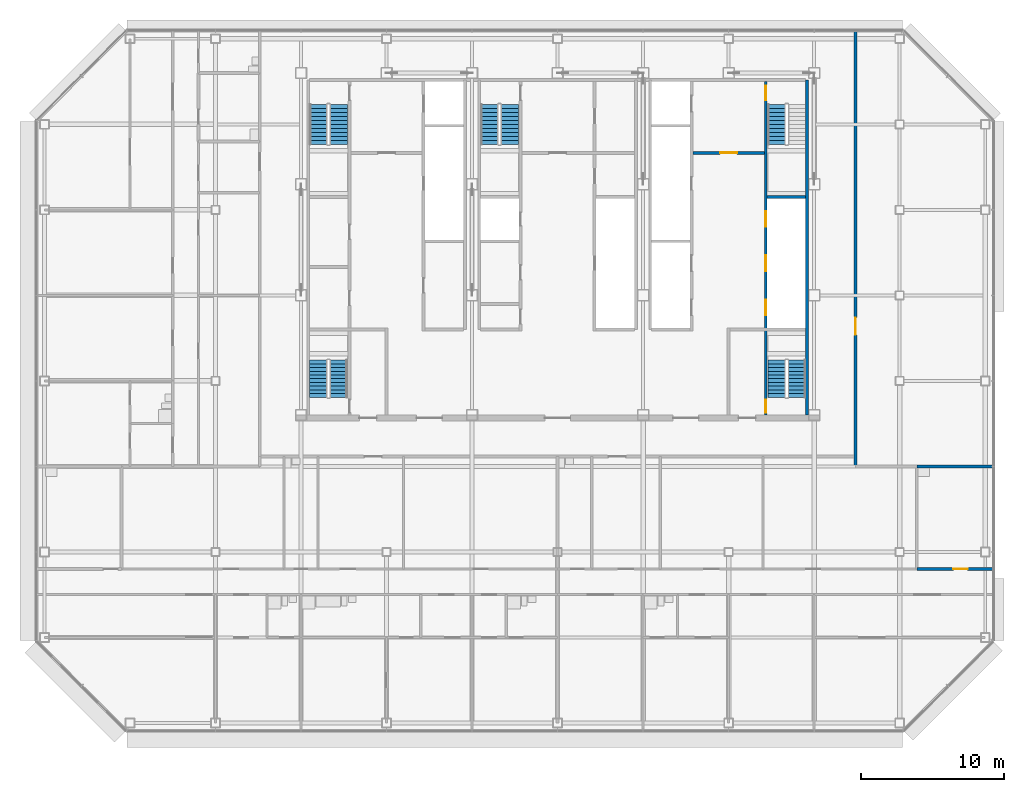
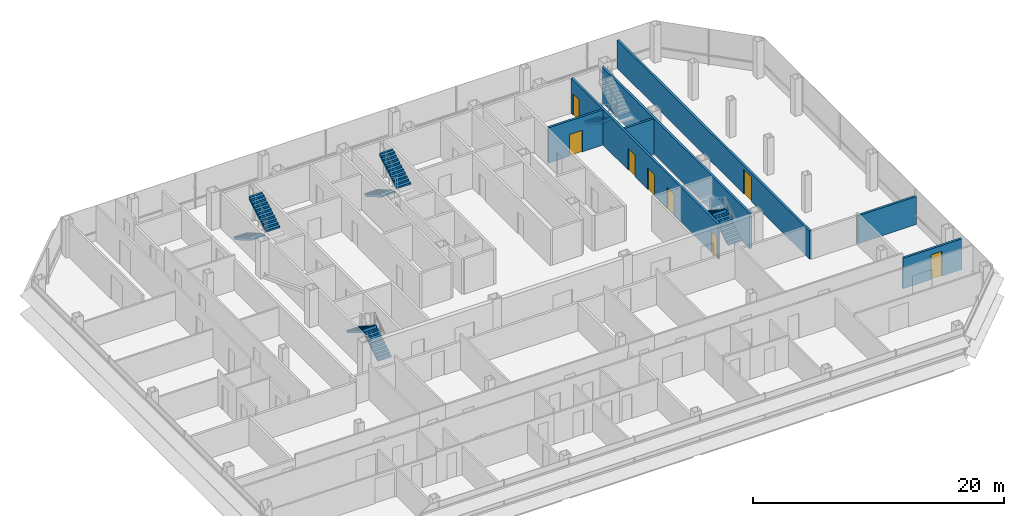
# One storey, part 24 of 27: 9 stair flights, 8 doors, 7 walls, 8 openings, 5 elements without a shape of their own.
"""IFC4 building model written with IfcOpenShell, lengths in metres."""

from ifc_helpers import new_model, si_unit, direction, frame, frame_2d, origin, place, context, subcontext, project, spatial, polyline, rectangle, outline, extrude, material, layer, layer_set, type_object, element, fill, aggregate, save


model = new_model("IFC4")

# Units and contexts
model_context = context("Model", 3, precision=1e-05, world=origin(), true_north=direction((0.0, 1.0)))
body_context = subcontext(model_context, "Body", "Model", "MODEL_VIEW")
ifc_project = project(units=[si_unit("LENGTHUNIT", "METRE"), si_unit("AREAUNIT", "SQUARE_METRE"), si_unit("VOLUMEUNIT", "CUBIC_METRE"), si_unit("PLANEANGLEUNIT", "RADIAN"), si_unit("MASSUNIT", "GRAM", prefix="KILO")], contexts=[model_context])

# Site, building, storey
site_placement = place(None, origin())
site = spatial("IfcSite", under=ifc_project, at=site_placement, CompositionType="ELEMENT")
building_placement = place(site_placement, origin())
building = spatial("IfcBuilding", under=site, at=building_placement, Name="Sorahane Residences", CompositionType="ELEMENT")
storey_placement = place(building_placement, frame((0.0, 0.0, 226.199951171875)))
storey = spatial("IfcBuildingStorey", under=building, at=storey_placement, Name="L53", CompositionType="ELEMENT", Elevation=226.199951171875)

# Wall
ifc_material_1 = material(Name="Concrete C30", Category="concrete")
ifc_layer_1 = layer(ifc_material_1, 0.199951171875)
ifc_layer_set_1 = layer_set([ifc_layer_1], Name="Core face wall 200 EI 180")
wall_type_1 = type_object("IfcWallType", Name="Core face wall 200 EI 180", PredefinedType="SOLIDWALL", material=ifc_layer_set_1)
wall_1_placement = place(storey_placement, frame((41.5, 21.60009765625, 0.0), z_axis=(0.0, 0.0, 1.0), x_axis=(0.0, 1.0, 0.0)))
element("IfcWall", 1, at=wall_1_placement, inside=storey, type_object=wall_type_1, Name="L53 core face wall", PredefinedType="SOLIDWALL", context=body_context, shape_type="SweptSolid", body=[
    extrude(rectangle(XDim=23.5, YDim=0.199951171875, at=frame_2d((11.75, 0.0))), origin(), (0.0, 0.0, 1.0), 3.420166015625),
])

# Wall, opening, door
ifc_material_2 = material(Name="Concrete blockwork C20 wall", Category="masonry")
ifc_layer_2 = layer(ifc_material_2, 0.199951171875)
ifc_layer_set_2 = layer_set([ifc_layer_2], Name="Corridor wall 200 EI 120")
wall_type_2 = type_object("IfcWallType", Name="Corridor wall 200 EI 120", PredefinedType="SOLIDWALL", material=ifc_layer_set_2)
wall_2_placement = place(storey_placement, frame((44.89990234375, 18.0, 0.0), z_axis=(0.0, 0.0, 1.0), x_axis=(0.0, 1.0, 0.0)))
wall_2 = element("IfcWall", 2, at=wall_2_placement, inside=storey, type_object=wall_type_2, Name="L53 corridor wall", PredefinedType="SOLIDWALL", context=body_context, shape_type="SweptSolid", body=[
    extrude(rectangle(XDim=30.60009765625, YDim=0.199951171875, at=frame_2d((15.300048828125, 0.0))), origin(), (0.0, 0.0, 1.0), 2.719970703125),
])
opening_1_placement = place(wall_2_placement, frame((9.22998046875, 0.0, 0.0)))
opening_1 = element("IfcOpeningElement", 3, at=opening_1_placement, cuts=wall_2, Name="Opening L53-45", PredefinedType="OPENING", context=body_context, shape_type="SweptSolid", body=[
    extrude(rectangle(XDim=1.199951171875, YDim=2.39990234375, at=frame_2d((0.60009765625, 1.199951171875))), frame((0.0, 0.10986328125, 0.0), z_axis=(0.0, -1.0, 0.0), x_axis=(1.0, 0.0, 0.0)), (0.0, 0.0, 1.0), 0.219970703125),
])
ifc_material_3 = material(Name="Steel", Category="steel")
door_type_1 = type_object("IfcDoorType", Name="Lobby door 1200x2400 FD60", OperationType="NOTDEFINED", PredefinedType="DOOR", material=ifc_material_3)
door_1_placement = place(opening_1_placement, frame((1.199951171875, 0.0, 0.0), z_axis=(0.0, 0.0, 1.0), x_axis=(-1.0, 0.0, 0.0)))
door_1 = element("IfcDoor", 4, at=door_1_placement, inside=storey, type_object=door_type_1, Name="Lobby door L53-45", OperationType="SINGLE_SWING_RIGHT", OverallHeight=2.39990234375, OverallWidth=1.199951171875, PredefinedType="DOOR", context=body_context, shape_type="SweptSolid", body=[
    extrude(rectangle(XDim=1.199951171875, YDim=2.39990234375, at=frame_2d((0.60009765625, 1.199951171875))), frame((0.0, 0.02490234375, 0.0), z_axis=(0.0, -1.0, 0.0), x_axis=(1.0, 0.0, 0.0)), (0.0, 0.0, 1.0), 0.050048828125),
])
fill(opening_1, door_1)

ifc_material_4 = material(Name="Concrete C30", Category="concrete")
ifc_layer_3 = layer(ifc_material_4, 0.199951171875)
ifc_layer_set_3 = layer_set([ifc_layer_3], Name="Front room wall 200 EI 120")
wall_type_3 = type_object("IfcWallType", Name="Front room wall 200 EI 120", PredefinedType="PARTITIONING", material=ifc_layer_set_3)
wall_3_placement = place(storey_placement, frame((33.5, 40.0, 0.0), z_axis=(0.0, 0.0, 1.0), x_axis=(1.0, 0.0, 0.0)))
wall_3 = element("IfcWall", 5, at=wall_3_placement, inside=storey, type_object=wall_type_3, Name="L53 front room wall", PredefinedType="PARTITIONING", context=body_context, shape_type="SweptSolid", body=[
    extrude(rectangle(XDim=5.0, YDim=0.199951171875, at=frame_2d((2.5, 0.0))), origin(), (0.0, 0.0, 1.0), 3.420166015625),
])
opening_2_placement = place(wall_3_placement, frame((1.89990234375, 0.0, 0.0)))
opening_2 = element("IfcOpeningElement", 6, at=opening_2_placement, cuts=wall_3, Name="Opening L53-C08", PredefinedType="OPENING", context=body_context, shape_type="SweptSolid", body=[
    extrude(rectangle(XDim=1.199951171875, YDim=2.10009765625, at=frame_2d((0.60009765625, 1.050048828125))), frame((0.0, 0.10986328125, 0.0), z_axis=(0.0, -1.0, 0.0), x_axis=(1.0, 0.0, 0.0)), (0.0, 0.0, 1.0), 0.219970703125),
])
ifc_material_5 = material(Name="Steel", Category="steel")
door_type_2 = type_object("IfcDoorType", Name="Front room door 1200x2100 FD120", OperationType="NOTDEFINED", PredefinedType="DOOR", material=ifc_material_5)
door_2_placement = place(opening_2_placement, frame((1.199951171875, 0.0, 0.0), z_axis=(0.0, 0.0, 1.0), x_axis=(-1.0, 0.0, 0.0)))
door_2 = element("IfcDoor", 7, at=door_2_placement, inside=storey, type_object=door_type_2, Name="Front room door Firefighting lobby FF2 front room L53", OperationType="DOUBLE_DOOR_SINGLE_SWING", OverallHeight=2.10009765625, OverallWidth=1.199951171875, PredefinedType="DOOR", context=body_context, shape_type="SweptSolid", body=[
    extrude(rectangle(XDim=1.199951171875, YDim=2.10009765625, at=frame_2d((0.60009765625, 1.050048828125))), frame((0.0, 0.02490234375, 0.0), z_axis=(0.0, -1.0, 0.0), x_axis=(1.0, 0.0, 0.0)), (0.0, 0.0, 1.0), 0.050048828125),
])
fill(opening_2, door_2)

ifc_material_6 = material(Name="Concrete blockwork C20 wall", Category="masonry")
ifc_layer_4 = layer(ifc_material_6, 0.199951171875)
ifc_layer_set_4 = layer_set([ifc_layer_4], Name="Kitchen wall 200 EI 180")
wall_type_4 = type_object("IfcWallType", Name="Kitchen wall 200 EI 180", PredefinedType="SOLIDWALL", material=ifc_layer_set_4)
wall_4_placement = place(storey_placement, frame((49.199951171875, 10.800048828125, 0.0), z_axis=(0.0, 0.0, 1.0), x_axis=(1.0, 0.0, 0.0)))
wall_4 = element("IfcWall", 8, at=wall_4_placement, inside=storey, type_object=wall_type_4, Name="L53 kitchen wall", PredefinedType="SOLIDWALL", context=body_context, shape_type="SweptSolid", body=[
    extrude(rectangle(XDim=5.400146484375, YDim=0.199951171875, at=frame_2d((2.7001953125, 0.0))), origin(), (0.0, 0.0, 1.0), 2.969970703125),
])
opening_3_placement = place(wall_4_placement, frame((2.56005859375, 0.0, 0.0)))
opening_3 = element("IfcOpeningElement", 9, at=opening_3_placement, cuts=wall_4, Name="Opening L53-22", PredefinedType="OPENING", context=body_context, shape_type="SweptSolid", body=[
    extrude(rectangle(XDim=1.0, YDim=2.39990234375, at=frame_2d((0.5, 1.199951171875))), frame((0.0, 0.10986328125, 0.0), z_axis=(0.0, -1.0, 0.0), x_axis=(1.0, 0.0, 0.0)), (0.0, 0.0, 1.0), 0.219970703125),
])
ifc_material_7 = material(Name="Steel", Category="steel")
door_type_3 = type_object("IfcDoorType", Name="Kitchen door 1000x2400 FD120", OperationType="NOTDEFINED", PredefinedType="DOOR", material=ifc_material_7)
door_3_placement = place(opening_3_placement, origin())
door_3 = element("IfcDoor", 10, at=door_3_placement, inside=storey, type_object=door_type_3, Name="Kitchen door L53-22", OperationType="SINGLE_SWING_RIGHT", OverallHeight=2.39990234375, OverallWidth=1.0, PredefinedType="DOOR", context=body_context, shape_type="SweptSolid", body=[
    extrude(rectangle(XDim=1.0, YDim=2.39990234375, at=frame_2d((0.5, 1.199951171875))), frame((0.0, 0.02490234375, 0.0), z_axis=(0.0, -1.0, 0.0), x_axis=(1.0, 0.0, 0.0)), (0.0, 0.0, 1.0), 0.050048828125),
])
fill(opening_3, door_3)

# Wall
wall_5_placement = place(storey_placement, frame((49.199951171875, 18.0, 0.0), z_axis=(0.0, 0.0, 1.0), x_axis=(1.0, 0.0, 0.0)))
element("IfcWall", 11, at=wall_5_placement, inside=storey, type_object=wall_type_4, Name="L53 kitchen wall", PredefinedType="SOLIDWALL", context=body_context, shape_type="SweptSolid", body=[
    extrude(rectangle(XDim=5.400146484375, YDim=0.199951171875, at=frame_2d((2.7001953125, 0.0))), origin(), (0.0, 0.0, 1.0), 2.719970703125),
])

# Wall, openings, doors
ifc_material_8 = material(Name="Concrete C30", Category="concrete")
ifc_layer_5 = layer(ifc_material_8, 0.199951171875)
ifc_layer_set_5 = layer_set([ifc_layer_5], Name="Stair enclosure wall 200 EI 120")
wall_type_5 = type_object("IfcWallType", Name="Stair enclosure wall 200 EI 120", PredefinedType="SOLIDWALL", material=ifc_layer_set_5)
wall_6_placement = place(storey_placement, frame((38.60009765625, 21.60009765625, 0.0), z_axis=(0.0, 0.0, 1.0), x_axis=(0.0, 1.0, 0.0)))
wall_6 = element("IfcWall", 12, at=wall_6_placement, inside=storey, type_object=wall_type_5, Name="L53 stair enclosure wall", PredefinedType="SOLIDWALL", context=body_context, shape_type="SweptSolid", body=[
    extrude(rectangle(XDim=23.39990234375, YDim=0.199951171875, at=frame_2d((11.699951171875, 0.0))), origin(), (0.0, 0.0, 1.0), 3.420166015625),
])
opening_4_placement = place(wall_6_placement, frame((7.0, 0.0, 0.0)))
opening_4 = element("IfcOpeningElement", 13, at=opening_4_placement, cuts=wall_6, Name="Opening L53-C09", PredefinedType="OPENING", context=body_context, shape_type="SweptSolid", body=[
    extrude(rectangle(XDim=1.10009765625, YDim=2.10009765625, at=frame_2d((0.550048828125, 1.050048828125))), frame((0.0, 0.10986328125, 0.0), z_axis=(0.0, -1.0, 0.0), x_axis=(1.0, 0.0, 0.0)), (0.0, 0.0, 1.0), 0.219970703125),
])
opening_5_placement = place(wall_6_placement, frame((10.10009765625, 0.0, 0.0)))
opening_5 = element("IfcOpeningElement", 14, at=opening_5_placement, cuts=wall_6, Name="Opening L53-C10", PredefinedType="OPENING", context=body_context, shape_type="SweptSolid", body=[
    extrude(rectangle(XDim=1.10009765625, YDim=2.10009765625, at=frame_2d((0.550048828125, 1.050048828125))), frame((0.0, 0.10986328125, 0.0), z_axis=(0.0, -1.0, 0.0), x_axis=(1.0, 0.0, 0.0)), (0.0, 0.0, 1.0), 0.219970703125),
])
opening_6_placement = place(wall_6_placement, frame((13.199951171875, 0.0, 0.0)))
opening_6 = element("IfcOpeningElement", 15, at=opening_6_placement, cuts=wall_6, Name="Opening L53-C11", PredefinedType="OPENING", context=body_context, shape_type="SweptSolid", body=[
    extrude(rectangle(XDim=1.10009765625, YDim=2.10009765625, at=frame_2d((0.550048828125, 1.050048828125))), frame((0.0, 0.10986328125, 0.0), z_axis=(0.0, -1.0, 0.0), x_axis=(1.0, 0.0, 0.0)), (0.0, 0.0, 1.0), 0.219970703125),
])
opening_7_placement = place(wall_6_placement, frame((22.10009765625, 0.0, 0.0)))
opening_7 = element("IfcOpeningElement", 16, at=opening_7_placement, cuts=wall_6, Name="Opening L53-C22", PredefinedType="OPENING", context=body_context, shape_type="SweptSolid", body=[
    extrude(rectangle(XDim=1.0, YDim=2.10009765625, at=frame_2d((0.5, 1.050048828125))), frame((0.0, 0.10986328125, 0.0), z_axis=(0.0, -1.0, 0.0), x_axis=(1.0, 0.0, 0.0)), (0.0, 0.0, 1.0), 0.219970703125),
])
opening_8_placement = place(wall_6_placement, frame((0.175048828125, 0.0, 0.0)))
opening_8 = element("IfcOpeningElement", 17, at=opening_8_placement, cuts=wall_6, Name="Opening L53-C25", PredefinedType="OPENING", context=body_context, shape_type="SweptSolid", body=[
    extrude(rectangle(XDim=0.89990234375, YDim=2.10009765625, at=frame_2d((0.449951171875, 1.050048828125))), frame((0.0, 0.10986328125, 0.0), z_axis=(0.0, -1.0, 0.0), x_axis=(1.0, 0.0, 0.0)), (0.0, 0.0, 1.0), 0.219970703125),
])
ifc_material_9 = material(Name="Aluminium and stainless steel", Category="steel")
door_type_4 = type_object("IfcDoorType", Name="Lift landing door 1100x2100 E 60", OperationType="NOTDEFINED", PredefinedType="DOOR", material=ifc_material_9)
door_4_placement = place(opening_4_placement, origin())
door_4 = element("IfcDoor", 18, at=door_4_placement, inside=storey, type_object=door_type_4, Name="Lift landing door HR1 L53", OperationType="DOUBLE_DOOR_SLIDING", OverallHeight=2.10009765625, OverallWidth=1.10009765625, PredefinedType="DOOR", context=body_context, shape_type="SweptSolid", body=[
    extrude(rectangle(XDim=1.10009765625, YDim=2.10009765625, at=frame_2d((0.550048828125, 1.050048828125))), frame((0.0, 0.02490234375, 0.0), z_axis=(0.0, -1.0, 0.0), x_axis=(1.0, 0.0, 0.0)), (0.0, 0.0, 1.0), 0.050048828125),
])
fill(opening_4, door_4)
door_5_placement = place(opening_5_placement, origin())
door_5 = element("IfcDoor", 19, at=door_5_placement, inside=storey, type_object=door_type_4, Name="Lift landing door HR2 L53", OperationType="DOUBLE_DOOR_SLIDING", OverallHeight=2.10009765625, OverallWidth=1.10009765625, PredefinedType="DOOR", context=body_context, shape_type="SweptSolid", body=[
    extrude(rectangle(XDim=1.10009765625, YDim=2.10009765625, at=frame_2d((0.550048828125, 1.050048828125))), frame((0.0, 0.02490234375, 0.0), z_axis=(0.0, -1.0, 0.0), x_axis=(1.0, 0.0, 0.0)), (0.0, 0.0, 1.0), 0.050048828125),
])
fill(opening_5, door_5)
door_6_placement = place(opening_6_placement, origin())
door_6 = element("IfcDoor", 20, at=door_6_placement, inside=storey, type_object=door_type_4, Name="Lift landing door HR3 L53", OperationType="DOUBLE_DOOR_SLIDING", OverallHeight=2.10009765625, OverallWidth=1.10009765625, PredefinedType="DOOR", context=body_context, shape_type="SweptSolid", body=[
    extrude(rectangle(XDim=1.10009765625, YDim=2.10009765625, at=frame_2d((0.550048828125, 1.050048828125))), frame((0.0, 0.02490234375, 0.0), z_axis=(0.0, -1.0, 0.0), x_axis=(1.0, 0.0, 0.0)), (0.0, 0.0, 1.0), 0.050048828125),
])
fill(opening_6, door_6)
ifc_material_10 = material(Name="Steel", Category="steel")
door_type_5 = type_object("IfcDoorType", Name="Stair door 1000x2100 FD120", OperationType="NOTDEFINED", PredefinedType="DOOR", material=ifc_material_10)
door_7_placement = place(opening_7_placement, frame((1.0, 0.0, 0.0), z_axis=(0.0, 0.0, 1.0), x_axis=(-1.0, 0.0, 0.0)))
door_7 = element("IfcDoor", 21, at=door_7_placement, inside=storey, type_object=door_type_5, Name="Stair door S2 L53", OperationType="SINGLE_SWING_LEFT", OverallHeight=2.10009765625, OverallWidth=1.0, PredefinedType="DOOR", context=body_context, shape_type="SweptSolid", body=[
    extrude(rectangle(XDim=1.0, YDim=2.10009765625, at=frame_2d((0.5, 1.050048828125))), frame((0.0, 0.02490234375, 0.0), z_axis=(0.0, -1.0, 0.0), x_axis=(1.0, 0.0, 0.0)), (0.0, 0.0, 1.0), 0.050048828125),
])
fill(opening_7, door_7)
ifc_material_11 = material(Name="Steel", Category="steel")
door_type_6 = type_object("IfcDoorType", Name="Stair door 900x2100 FD120", OperationType="NOTDEFINED", PredefinedType="DOOR", material=ifc_material_11)
door_8_placement = place(opening_8_placement, frame((0.89990234375, 0.0, 0.0), z_axis=(0.0, 0.0, 1.0), x_axis=(-1.0, 0.0, 0.0)))
door_8 = element("IfcDoor", 22, at=door_8_placement, inside=storey, type_object=door_type_6, Name="Stair door S5 L53", OperationType="SINGLE_SWING_LEFT", OverallHeight=2.10009765625, OverallWidth=0.89990234375, PredefinedType="DOOR", context=body_context, shape_type="SweptSolid", body=[
    extrude(rectangle(XDim=0.89990234375, YDim=2.10009765625, at=frame_2d((0.449951171875, 1.050048828125))), frame((0.0, 0.02490234375, 0.0), z_axis=(0.0, -1.0, 0.0), x_axis=(1.0, 0.0, 0.0)), (0.0, 0.0, 1.0), 0.050048828125),
])
fill(opening_8, door_8)

# Wall
wall_7_placement = place(storey_placement, frame((38.699951171875, 36.89990234375, 0.0), z_axis=(0.0, 0.0, 1.0), x_axis=(1.0, 0.0, 0.0)))
element("IfcWall", 23, at=wall_7_placement, inside=storey, type_object=wall_type_5, Name="L53 stair enclosure wall", PredefinedType="SOLIDWALL", context=body_context, shape_type="SweptSolid", body=[
    extrude(rectangle(XDim=2.699951171875, YDim=0.199951171875, at=frame_2d((1.35009765625, 0.0))), origin(), (0.0, 0.0, 1.0), 3.420166015625),
])

# Stair, stair flights
ifc_material_12 = material(Name="Concrete C40", Category="concrete")
stair_type = type_object("IfcStairType", Name="Dog-leg stair 1250 Concrete C40", PredefinedType="HALF_TURN_STAIR", material=ifc_material_12)
stair_1_placement = place(storey_placement, origin())
stair_1 = element("IfcStair", 24, at=stair_1_placement, inside=storey, type_object=stair_type, Name="L53 Stair S1", PredefinedType="HALF_TURN_STAIR")
ifc_material_13 = material(Name="Concrete C40", Category="concrete")
stair_flight_type = type_object("IfcStairFlightType", Name="Stair flight 1250 Concrete C40", PredefinedType="STRAIGHT", material=ifc_material_13)
stair_flight_1_placement = place(storey_placement, frame((7.22509765625, 43.39990234375, 0.0), z_axis=(0.0, 0.0, 1.0), x_axis=(0.0, -1.0, 0.0)))
stair_flight_1 = element("IfcStairFlight", 25, at=stair_flight_1_placement, type_object=stair_flight_type, Name="S1 flight 1", NumberOfRisers=11, NumberOfTreads=10, PredefinedType="STRAIGHT", RiserHeight=0.163636364, TreadLength=0.28, context=body_context, shape_type="SweptSolid", body=[
    extrude(outline(polyline([(-0.00146484375, 0.0), (-0.00146484375, 0.16357421875), (0.0, 0.16357421875), (0.280029296875, 0.16357421875), (0.280029296875, 0.327392578125), (0.56005859375, 0.327392578125), (0.56005859375, 0.490966796875), (0.840087890625, 0.490966796875), (0.840087890625, 0.654541015625), (1.1201171875, 0.654541015625), (1.1201171875, 0.818115234375), (1.39990234375, 0.818115234375), (1.39990234375, 0.98193359375), (1.679931640625, 0.98193359375), (1.679931640625, 1.1455078125), (1.9599609375, 1.1455078125), (1.9599609375, 1.30908203125), (2.239990234375, 1.30908203125), (2.239990234375, 1.47265625), (2.52001953125, 1.47265625), (2.52001953125, 1.636474609375), (2.800048828125, 1.636474609375), (2.800048828125, 1.800048828125), (2.800048828125, 1.462646484375), (2.59130859375, 1.3408203125), (2.3828125, 1.218994140625), (2.17431640625, 1.09716796875), (1.965576171875, 0.97509765625), (1.757080078125, 0.853271484375), (1.548583984375, 0.7314453125), (1.340087890625, 0.609375), (1.13134765625, 0.487548828125), (0.9228515625, 0.36572265625), (0.71435546875, 0.243896484375), (0.505615234375, 0.121826171875), (0.297119140625, 0.0), (-0.00146484375, 0.0)])), frame((0.0, 0.625, 0.0), z_axis=(0.0, -1.0, 0.0), x_axis=(1.0, 0.0, 0.0)), (0.0, 0.0, 1.0), 1.25),
])
stair_flight_2_placement = place(storey_placement, frame((8.625, 40.60009765625, 1.800048828125), z_axis=(0.0, 0.0, 1.0), x_axis=(0.0, 1.0, 0.0)))
stair_flight_2 = element("IfcStairFlight", 26, at=stair_flight_2_placement, type_object=stair_flight_type, Name="S1 flight 2", NumberOfRisers=11, NumberOfTreads=10, PredefinedType="STRAIGHT", RiserHeight=0.163636364, TreadLength=0.28, context=body_context, shape_type="SweptSolid", body=[
    extrude(outline(polyline([(0.0, 0.0), (0.0, 0.16357421875), (0.280029296875, 0.16357421875), (0.280029296875, 0.327392578125), (0.56005859375, 0.327392578125), (0.56005859375, 0.490966796875), (0.840087890625, 0.490966796875), (0.840087890625, 0.654541015625), (1.1201171875, 0.654541015625), (1.1201171875, 0.818115234375), (1.39990234375, 0.818115234375), (1.39990234375, 0.98193359375), (1.679931640625, 0.98193359375), (1.679931640625, 1.1455078125), (1.9599609375, 1.1455078125), (1.9599609375, 1.30908203125), (2.239990234375, 1.30908203125), (2.239990234375, 1.47265625), (2.52001953125, 1.47265625), (2.52001953125, 1.636474609375), (2.800048828125, 1.636474609375), (2.800048828125, 1.800048828125), (2.801513671875, 1.800048828125), (2.801513671875, 1.462646484375), (2.5927734375, 1.3408203125), (2.384033203125, 1.218994140625), (2.17529296875, 1.09716796875), (1.966796875, 0.97509765625), (1.758056640625, 0.853271484375), (1.54931640625, 0.7314453125), (1.340576171875, 0.609375), (1.1318359375, 0.487548828125), (0.923095703125, 0.36572265625), (0.714599609375, 0.243896484375), (0.505859375, 0.121826171875), (0.297119140625, 0.0), (0.0, 0.0)])), frame((0.0, 0.625, 0.0), z_axis=(0.0, -1.0, 0.0), x_axis=(1.0, 0.0, 0.0)), (0.0, 0.0, 1.0), 1.25),
])
aggregate(stair_1, [stair_flight_1, stair_flight_2])

# Stair, stair flight
stair_2_placement = place(storey_placement, origin())
stair_2 = element("IfcStair", 27, at=stair_2_placement, inside=storey, type_object=stair_type, Name="L53 Stair S2", PredefinedType="HALF_TURN_STAIR")
stair_flight_3_placement = place(storey_placement, frame((39.375, 43.39990234375, 0.0), z_axis=(0.0, 0.0, 1.0), x_axis=(0.0, -1.0, 0.0)))
stair_flight_3 = element("IfcStairFlight", 28, at=stair_flight_3_placement, type_object=stair_flight_type, Name="S2 flight 1", NumberOfRisers=11, NumberOfTreads=10, PredefinedType="STRAIGHT", RiserHeight=0.163636364, TreadLength=0.28, context=body_context, shape_type="SweptSolid", body=[
    extrude(outline(polyline([(-0.00146484375, 0.0), (-0.00146484375, 0.16357421875), (0.0, 0.16357421875), (0.280029296875, 0.16357421875), (0.280029296875, 0.327392578125), (0.56005859375, 0.327392578125), (0.56005859375, 0.490966796875), (0.840087890625, 0.490966796875), (0.840087890625, 0.654541015625), (1.1201171875, 0.654541015625), (1.1201171875, 0.818115234375), (1.39990234375, 0.818115234375), (1.39990234375, 0.98193359375), (1.679931640625, 0.98193359375), (1.679931640625, 1.1455078125), (1.9599609375, 1.1455078125), (1.9599609375, 1.30908203125), (2.239990234375, 1.30908203125), (2.239990234375, 1.47265625), (2.52001953125, 1.47265625), (2.52001953125, 1.636474609375), (2.800048828125, 1.636474609375), (2.800048828125, 1.800048828125), (2.800048828125, 1.462646484375), (2.59130859375, 1.3408203125), (2.3828125, 1.218994140625), (2.17431640625, 1.09716796875), (1.965576171875, 0.97509765625), (1.757080078125, 0.853271484375), (1.548583984375, 0.7314453125), (1.340087890625, 0.609375), (1.13134765625, 0.487548828125), (0.9228515625, 0.36572265625), (0.71435546875, 0.243896484375), (0.505615234375, 0.121826171875), (0.297119140625, 0.0), (-0.00146484375, 0.0)])), frame((0.0, 0.625, 0.0), z_axis=(0.0, -1.0, 0.0), x_axis=(1.0, 0.0, 0.0)), (0.0, 0.0, 1.0), 1.25),
])
aggregate(stair_2, [stair_flight_3])

# Stair, stair flights
stair_3_placement = place(storey_placement, origin())
stair_3 = element("IfcStair", 29, at=stair_3_placement, inside=storey, type_object=stair_type, Name="L53 Stair S3", PredefinedType="HALF_TURN_STAIR")
stair_flight_4_placement = place(storey_placement, frame((19.22509765625, 43.39990234375, 0.0), z_axis=(0.0, 0.0, 1.0), x_axis=(0.0, -1.0, 0.0)))
stair_flight_4 = element("IfcStairFlight", 30, at=stair_flight_4_placement, type_object=stair_flight_type, Name="S3 flight 1", NumberOfRisers=11, NumberOfTreads=10, PredefinedType="STRAIGHT", RiserHeight=0.163636364, TreadLength=0.28, context=body_context, shape_type="SweptSolid", body=[
    extrude(outline(polyline([(-0.00146484375, 0.0), (-0.00146484375, 0.16357421875), (0.0, 0.16357421875), (0.280029296875, 0.16357421875), (0.280029296875, 0.327392578125), (0.56005859375, 0.327392578125), (0.56005859375, 0.490966796875), (0.840087890625, 0.490966796875), (0.840087890625, 0.654541015625), (1.1201171875, 0.654541015625), (1.1201171875, 0.818115234375), (1.39990234375, 0.818115234375), (1.39990234375, 0.98193359375), (1.679931640625, 0.98193359375), (1.679931640625, 1.1455078125), (1.9599609375, 1.1455078125), (1.9599609375, 1.30908203125), (2.239990234375, 1.30908203125), (2.239990234375, 1.47265625), (2.52001953125, 1.47265625), (2.52001953125, 1.636474609375), (2.800048828125, 1.636474609375), (2.800048828125, 1.800048828125), (2.800048828125, 1.462646484375), (2.59130859375, 1.3408203125), (2.3828125, 1.218994140625), (2.17431640625, 1.09716796875), (1.965576171875, 0.97509765625), (1.757080078125, 0.853271484375), (1.548583984375, 0.7314453125), (1.340087890625, 0.609375), (1.13134765625, 0.487548828125), (0.9228515625, 0.36572265625), (0.71435546875, 0.243896484375), (0.505615234375, 0.121826171875), (0.297119140625, 0.0), (-0.00146484375, 0.0)])), frame((0.0, 0.625, 0.0), z_axis=(0.0, -1.0, 0.0), x_axis=(1.0, 0.0, 0.0)), (0.0, 0.0, 1.0), 1.25),
])
stair_flight_5_placement = place(storey_placement, frame((20.625, 40.60009765625, 1.800048828125), z_axis=(0.0, 0.0, 1.0), x_axis=(0.0, 1.0, 0.0)))
stair_flight_5 = element("IfcStairFlight", 31, at=stair_flight_5_placement, type_object=stair_flight_type, Name="S3 flight 2", NumberOfRisers=11, NumberOfTreads=10, PredefinedType="STRAIGHT", RiserHeight=0.163636364, TreadLength=0.28, context=body_context, shape_type="SweptSolid", body=[
    extrude(outline(polyline([(0.0, 0.0), (0.0, 0.16357421875), (0.280029296875, 0.16357421875), (0.280029296875, 0.327392578125), (0.56005859375, 0.327392578125), (0.56005859375, 0.490966796875), (0.840087890625, 0.490966796875), (0.840087890625, 0.654541015625), (1.1201171875, 0.654541015625), (1.1201171875, 0.818115234375), (1.39990234375, 0.818115234375), (1.39990234375, 0.98193359375), (1.679931640625, 0.98193359375), (1.679931640625, 1.1455078125), (1.9599609375, 1.1455078125), (1.9599609375, 1.30908203125), (2.239990234375, 1.30908203125), (2.239990234375, 1.47265625), (2.52001953125, 1.47265625), (2.52001953125, 1.636474609375), (2.800048828125, 1.636474609375), (2.800048828125, 1.800048828125), (2.801513671875, 1.800048828125), (2.801513671875, 1.462646484375), (2.5927734375, 1.3408203125), (2.384033203125, 1.218994140625), (2.17529296875, 1.09716796875), (1.966796875, 0.97509765625), (1.758056640625, 0.853271484375), (1.54931640625, 0.7314453125), (1.340576171875, 0.609375), (1.1318359375, 0.487548828125), (0.923095703125, 0.36572265625), (0.714599609375, 0.243896484375), (0.505859375, 0.121826171875), (0.297119140625, 0.0), (0.0, 0.0)])), frame((0.0, 0.625, 0.0), z_axis=(0.0, -1.0, 0.0), x_axis=(1.0, 0.0, 0.0)), (0.0, 0.0, 1.0), 1.25),
])
aggregate(stair_3, [stair_flight_4, stair_flight_5])

stair_4_placement = place(storey_placement, origin())
stair_4 = element("IfcStair", 32, at=stair_4_placement, inside=storey, type_object=stair_type, Name="L53 Stair S4", PredefinedType="HALF_TURN_STAIR")
stair_flight_6_placement = place(storey_placement, frame((8.625, 22.85009765625, 0.0), z_axis=(0.0, 0.0, 1.0), x_axis=(0.0, 1.0, 0.0)))
stair_flight_6 = element("IfcStairFlight", 33, at=stair_flight_6_placement, type_object=stair_flight_type, Name="S4 flight 1", NumberOfRisers=11, NumberOfTreads=10, PredefinedType="STRAIGHT", RiserHeight=0.163636364, TreadLength=0.26, context=body_context, shape_type="SweptSolid", body=[
    extrude(outline(polyline([(-0.00146484375, 0.0), (-0.00146484375, 0.16357421875), (0.0, 0.16357421875), (0.260009765625, 0.16357421875), (0.260009765625, 0.327392578125), (0.52001953125, 0.327392578125), (0.52001953125, 0.490966796875), (0.780029296875, 0.490966796875), (0.780029296875, 0.654541015625), (1.0400390625, 0.654541015625), (1.0400390625, 0.818115234375), (1.300048828125, 0.818115234375), (1.300048828125, 0.98193359375), (1.56005859375, 0.98193359375), (1.56005859375, 1.1455078125), (1.820068359375, 1.1455078125), (1.820068359375, 1.30908203125), (2.080078125, 1.30908203125), (2.080078125, 1.47265625), (2.340087890625, 1.47265625), (2.340087890625, 1.636474609375), (2.60009765625, 1.636474609375), (2.60009765625, 1.800048828125), (2.60009765625, 1.494384765625), (2.402099609375, 1.369873046875), (2.204345703125, 1.245361328125), (2.00634765625, 1.120849609375), (1.80859375, 0.996337890625), (1.610595703125, 0.871826171875), (1.412841796875, 0.747314453125), (1.21484375, 0.622802734375), (1.01708984375, 0.498046875), (0.819091796875, 0.37353515625), (0.621337890625, 0.2490234375), (0.42333984375, 0.12451171875), (0.2255859375, 0.0), (-0.00146484375, 0.0)])), frame((0.0, 0.625, 0.0), z_axis=(0.0, -1.0, 0.0), x_axis=(1.0, 0.0, 0.0)), (0.0, 0.0, 1.0), 1.25),
])
stair_flight_7_placement = place(storey_placement, frame((7.22509765625, 25.449951171875, 1.800048828125), z_axis=(0.0, 0.0, 1.0), x_axis=(0.0, -1.0, 0.0)))
stair_flight_7 = element("IfcStairFlight", 34, at=stair_flight_7_placement, type_object=stair_flight_type, Name="S4 flight 2", NumberOfRisers=11, NumberOfTreads=10, PredefinedType="STRAIGHT", RiserHeight=0.163636364, TreadLength=0.26, context=body_context, shape_type="SweptSolid", body=[
    extrude(outline(polyline([(0.0, 0.0), (0.0, 0.16357421875), (0.260009765625, 0.16357421875), (0.260009765625, 0.327392578125), (0.52001953125, 0.327392578125), (0.52001953125, 0.490966796875), (0.780029296875, 0.490966796875), (0.780029296875, 0.654541015625), (1.0400390625, 0.654541015625), (1.0400390625, 0.818115234375), (1.300048828125, 0.818115234375), (1.300048828125, 0.98193359375), (1.56005859375, 0.98193359375), (1.56005859375, 1.1455078125), (1.820068359375, 1.1455078125), (1.820068359375, 1.30908203125), (2.080078125, 1.30908203125), (2.080078125, 1.47265625), (2.340087890625, 1.47265625), (2.340087890625, 1.636474609375), (2.60009765625, 1.636474609375), (2.60009765625, 1.800048828125), (2.6015625, 1.800048828125), (2.6015625, 1.494384765625), (2.403564453125, 1.369873046875), (2.20556640625, 1.245361328125), (2.007568359375, 1.120849609375), (1.8095703125, 0.996337890625), (1.611572265625, 0.871826171875), (1.41357421875, 0.747314453125), (1.215576171875, 0.622802734375), (1.017578125, 0.498046875), (0.819580078125, 0.37353515625), (0.62158203125, 0.2490234375), (0.423583984375, 0.12451171875), (0.2255859375, 0.0), (0.0, 0.0)])), frame((0.0, 0.625, 0.0), z_axis=(0.0, -1.0, 0.0), x_axis=(1.0, 0.0, 0.0)), (0.0, 0.0, 1.0), 1.25),
])
aggregate(stair_4, [stair_flight_6, stair_flight_7])

stair_5_placement = place(storey_placement, origin())
stair_5 = element("IfcStair", 35, at=stair_5_placement, inside=storey, type_object=stair_type, Name="L53 Stair S5", PredefinedType="HALF_TURN_STAIR")
stair_flight_8_placement = place(storey_placement, frame((40.77490234375, 22.85009765625, 0.0), z_axis=(0.0, 0.0, 1.0), x_axis=(0.0, 1.0, 0.0)))
stair_flight_8 = element("IfcStairFlight", 36, at=stair_flight_8_placement, type_object=stair_flight_type, Name="S5 flight 1", NumberOfRisers=11, NumberOfTreads=10, PredefinedType="STRAIGHT", RiserHeight=0.163636364, TreadLength=0.26, context=body_context, shape_type="SweptSolid", body=[
    extrude(outline(polyline([(-0.00146484375, 0.0), (-0.00146484375, 0.16357421875), (0.0, 0.16357421875), (0.260009765625, 0.16357421875), (0.260009765625, 0.327392578125), (0.52001953125, 0.327392578125), (0.52001953125, 0.490966796875), (0.780029296875, 0.490966796875), (0.780029296875, 0.654541015625), (1.0400390625, 0.654541015625), (1.0400390625, 0.818115234375), (1.300048828125, 0.818115234375), (1.300048828125, 0.98193359375), (1.56005859375, 0.98193359375), (1.56005859375, 1.1455078125), (1.820068359375, 1.1455078125), (1.820068359375, 1.30908203125), (2.080078125, 1.30908203125), (2.080078125, 1.47265625), (2.340087890625, 1.47265625), (2.340087890625, 1.636474609375), (2.60009765625, 1.636474609375), (2.60009765625, 1.800048828125), (2.60009765625, 1.494384765625), (2.402099609375, 1.369873046875), (2.204345703125, 1.245361328125), (2.00634765625, 1.120849609375), (1.80859375, 0.996337890625), (1.610595703125, 0.871826171875), (1.412841796875, 0.747314453125), (1.21484375, 0.622802734375), (1.01708984375, 0.498046875), (0.819091796875, 0.37353515625), (0.621337890625, 0.2490234375), (0.42333984375, 0.12451171875), (0.2255859375, 0.0), (-0.00146484375, 0.0)])), frame((0.0, 0.625, 0.0), z_axis=(0.0, -1.0, 0.0), x_axis=(1.0, 0.0, 0.0)), (0.0, 0.0, 1.0), 1.25),
])
stair_flight_9_placement = place(storey_placement, frame((39.375, 25.449951171875, 1.800048828125), z_axis=(0.0, 0.0, 1.0), x_axis=(0.0, -1.0, 0.0)))
stair_flight_9 = element("IfcStairFlight", 37, at=stair_flight_9_placement, type_object=stair_flight_type, Name="S5 flight 2", NumberOfRisers=11, NumberOfTreads=10, PredefinedType="STRAIGHT", RiserHeight=0.163636364, TreadLength=0.26, context=body_context, shape_type="SweptSolid", body=[
    extrude(outline(polyline([(0.0, 0.0), (0.0, 0.16357421875), (0.260009765625, 0.16357421875), (0.260009765625, 0.327392578125), (0.52001953125, 0.327392578125), (0.52001953125, 0.490966796875), (0.780029296875, 0.490966796875), (0.780029296875, 0.654541015625), (1.0400390625, 0.654541015625), (1.0400390625, 0.818115234375), (1.300048828125, 0.818115234375), (1.300048828125, 0.98193359375), (1.56005859375, 0.98193359375), (1.56005859375, 1.1455078125), (1.820068359375, 1.1455078125), (1.820068359375, 1.30908203125), (2.080078125, 1.30908203125), (2.080078125, 1.47265625), (2.340087890625, 1.47265625), (2.340087890625, 1.636474609375), (2.60009765625, 1.636474609375), (2.60009765625, 1.800048828125), (2.6015625, 1.800048828125), (2.6015625, 1.494384765625), (2.403564453125, 1.369873046875), (2.20556640625, 1.245361328125), (2.007568359375, 1.120849609375), (1.8095703125, 0.996337890625), (1.611572265625, 0.871826171875), (1.41357421875, 0.747314453125), (1.215576171875, 0.622802734375), (1.017578125, 0.498046875), (0.819580078125, 0.37353515625), (0.62158203125, 0.2490234375), (0.423583984375, 0.12451171875), (0.2255859375, 0.0), (0.0, 0.0)])), frame((0.0, 0.625, 0.0), z_axis=(0.0, -1.0, 0.0), x_axis=(1.0, 0.0, 0.0)), (0.0, 0.0, 1.0), 1.25),
])
aggregate(stair_5, [stair_flight_8, stair_flight_9])

save(model, "model.ifc")
